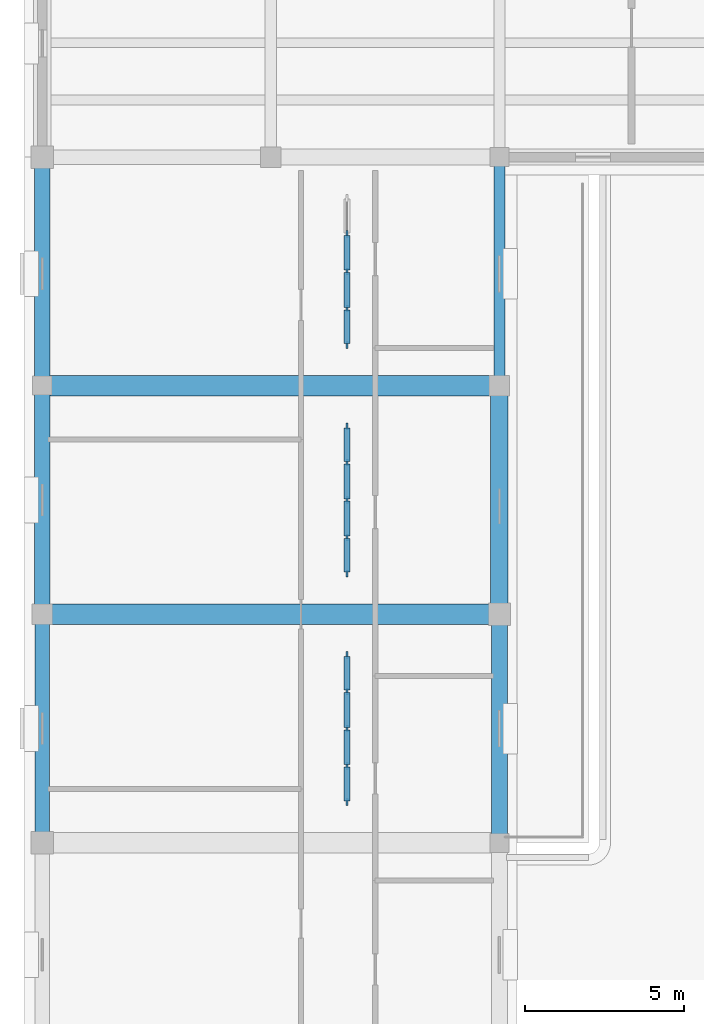
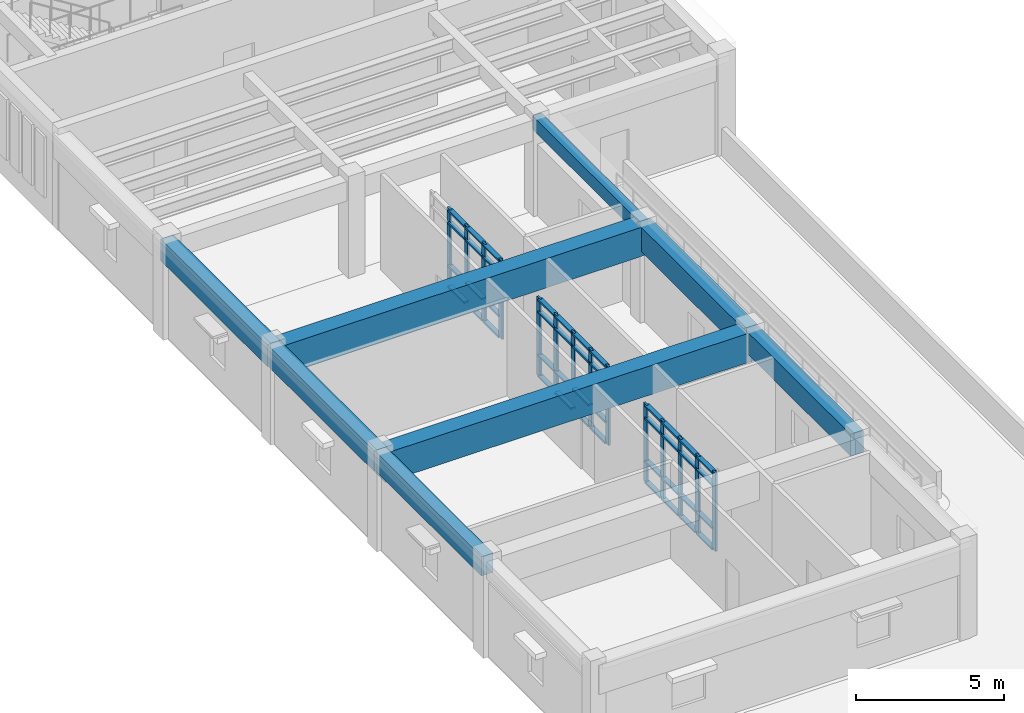
# One storey, part 2 of 40: 58 members, 8 beams, 3 elements without a shape of their own.
"""IFC4 building model written with IfcOpenShell, lengths in metres."""

from ifc_helpers import new_model, si_unit, direction, frame, origin, origin_2d, place, context, subcontext, project, spatial, rectangle, extrude, material, material_profile, profile_set, type_object, element, aggregate, save


model = new_model("IFC4")

# Units and contexts
model_context = context("Model", 3, precision=1e-05, world=origin(), true_north=direction((0.0, 1.0)))
body_context = subcontext(model_context, "Body", "Model", "MODEL_VIEW")
ifc_project = project(units=[si_unit("LENGTHUNIT", "METRE"), si_unit("AREAUNIT", "SQUARE_METRE"), si_unit("VOLUMEUNIT", "CUBIC_METRE"), si_unit("PLANEANGLEUNIT", "RADIAN"), si_unit("MASSUNIT", "GRAM", prefix="KILO")], contexts=[model_context])

# Site, building, storey
site_placement = place(None, origin())
site = spatial("IfcSite", under=ifc_project, at=site_placement, CompositionType="ELEMENT")
building_placement = place(site_placement, origin())
building = spatial("IfcBuilding", under=site, at=building_placement, Name="Mithqara Police Headquarters", CompositionType="ELEMENT")
storey_placement = place(building_placement, frame((0.0, 0.0, 13.800048828125)))
storey = spatial("IfcBuildingStorey", under=building, at=storey_placement, Name="L03", CompositionType="ELEMENT", Elevation=13.800048828125)

# Beams
ifc_material_1 = material(Name="Concrete C40/50", Category="concrete")
ifc_material_profile_1 = material_profile(ifc_material_1, rectangle(XDim=0.35009765625, YDim=0.550048828125, at=origin_2d()), Name="RC 350x550")
ifc_profile_set_1 = profile_set([ifc_material_profile_1], Name="Concrete C40/50")
beam_type_1 = type_object("IfcBeamType", Name="BEAM RC350X550", PredefinedType="BEAM", material=ifc_profile_set_1)
beam_1_placement = place(storey_placement, frame((22.199951171875, 49.800048828125, 3.6650390625), z_axis=(0.0, 1.0, 0.0), x_axis=(-1.0, 0.0, 0.0)))
element("IfcBeam", 1, at=beam_1_placement, inside=storey, type_object=beam_type_1, Name="L03 Girder 4/H-J", PredefinedType="BEAM", context=body_context, shape_type="SweptSolid", body=[
    extrude(rectangle(XDim=0.35009765625, YDim=0.550048828125, at=origin_2d()), origin(), (0.0, 0.0, 1.0), 7.199951171875),
])
ifc_material_profile_2 = material_profile(ifc_material_1, rectangle(XDim=0.449951171875, YDim=0.800048828125, at=origin_2d()), Name="RC 450x800")
ifc_profile_set_2 = profile_set([ifc_material_profile_2], Name="Concrete C40/50")
beam_type_2 = type_object("IfcBeamType", Name="BEAM RC450X800", PredefinedType="BEAM", material=ifc_profile_set_2)
beam_2_placement = place(storey_placement, frame((7.800048828125, 35.39990234375, 3.5400390625), z_axis=(0.0, 1.0, 0.0), x_axis=(-1.0, 0.0, 0.0)))
element("IfcBeam", 2, at=beam_2_placement, inside=storey, type_object=beam_type_2, Name="L03 Girder 2/F-G", PredefinedType="BEAM", context=body_context, shape_type="SweptSolid", body=[
    extrude(rectangle(XDim=0.449951171875, YDim=0.800048828125, at=origin_2d()), origin(), (0.0, 0.0, 1.0), 7.2001953125),
])
ifc_material_profile_3 = material_profile(ifc_material_1, rectangle(XDim=0.5, YDim=0.85009765625, at=origin_2d()), Name="RC 500x850")
ifc_profile_set_3 = profile_set([ifc_material_profile_3], Name="Concrete C40/50")
beam_type_3 = type_object("IfcBeamType", Name="BEAM RC500X850", PredefinedType="BEAM", material=ifc_profile_set_3)
beam_3_placement = place(storey_placement, frame((7.800048828125, 42.60009765625, 3.514892578125), z_axis=(0.0, 1.0, 0.0), x_axis=(-1.0, 0.0, 0.0)))
element("IfcBeam", 3, at=beam_3_placement, inside=storey, type_object=beam_type_3, Name="L03 Girder 2/G-H", PredefinedType="BEAM", context=body_context, shape_type="SweptSolid", body=[
    extrude(rectangle(XDim=0.5, YDim=0.85009765625, at=origin_2d()), origin(), (0.0, 0.0, 1.0), 7.199951171875),
])
ifc_material_2 = material(Name="Concrete C50/60", Category="concrete")
ifc_material_profile_4 = material_profile(ifc_material_2, rectangle(XDim=0.5, YDim=0.89990234375, at=origin_2d()), Name="RC 500x900")
ifc_profile_set_4 = profile_set([ifc_material_profile_4], Name="Concrete C50/60")
beam_type_4 = type_object("IfcBeamType", Name="BEAM RC500X900", PredefinedType="BEAM", material=ifc_profile_set_4)
beam_4_placement = place(storey_placement, frame((7.800048828125, 49.800048828125, 3.489990234375), z_axis=(0.0, 1.0, 0.0), x_axis=(-1.0, 0.0, 0.0)))
element("IfcBeam", 4, at=beam_4_placement, inside=storey, type_object=beam_type_4, Name="L03 Girder 2/H-J", PredefinedType="BEAM", context=body_context, shape_type="SweptSolid", body=[
    extrude(rectangle(XDim=0.5, YDim=0.89990234375, at=origin_2d()), origin(), (0.0, 0.0, 1.0), 7.199951171875),
])
beam_5_placement = place(storey_placement, frame((22.199951171875, 35.39990234375, 3.489990234375), z_axis=(0.0, 1.0, 0.0), x_axis=(-1.0, 0.0, 0.0)))
element("IfcBeam", 5, at=beam_5_placement, inside=storey, type_object=beam_type_4, Name="L03 Girder 4/F-G", PredefinedType="BEAM", context=body_context, shape_type="SweptSolid", body=[
    extrude(rectangle(XDim=0.5, YDim=0.89990234375, at=origin_2d()), origin(), (0.0, 0.0, 1.0), 7.2001953125),
])
ifc_material_profile_5 = material_profile(ifc_material_2, rectangle(XDim=0.550048828125, YDim=1.0, at=origin_2d()), Name="RC 550x1000")
ifc_profile_set_5 = profile_set([ifc_material_profile_5], Name="Concrete C50/60")
beam_type_5 = type_object("IfcBeamType", Name="BEAM RC550X1000", PredefinedType="BEAM", material=ifc_profile_set_5)
beam_6_placement = place(storey_placement, frame((22.199951171875, 42.60009765625, 3.43994140625), z_axis=(0.0, 1.0, 0.0), x_axis=(-1.0, 0.0, 0.0)))
element("IfcBeam", 6, at=beam_6_placement, inside=storey, type_object=beam_type_5, Name="L03 Girder 4/G-H", PredefinedType="BEAM", context=body_context, shape_type="SweptSolid", body=[
    extrude(rectangle(XDim=0.550048828125, YDim=1.0, at=origin_2d()), origin(), (0.0, 0.0, 1.0), 7.199951171875),
])

# Curtain wall, members
ifc_material_3 = material(Name="Bronze anodised aluminium 6063-T6", Category="aluminium")
curtain_wall_type = type_object("IfcCurtainWallType", Name="CURTAIN WALL 4700X3220", PredefinedType="USERDEFINED", material=ifc_material_3)
curtain_wall_1_placement = place(storey_placement, origin())
curtain_wall_1 = element("IfcCurtainWall", 7, at=curtain_wall_1_placement, inside=storey, type_object=curtain_wall_type, Name="L03 Unitised Glazing CW-16 (CW-INT-L03-X02-Y05-0)", ObjectType="UNITISED GLAZING", PredefinedType="USERDEFINED")
ifc_material_profile_6 = material_profile(ifc_material_3, rectangle(XDim=0.074951171875, YDim=0.219970703125, at=origin_2d()), Name="CWM 75x220")
ifc_profile_set_6 = profile_set([ifc_material_profile_6], Name="Bronze anodised aluminium 6063-T6")
member_type_1 = type_object("IfcMemberType", Name="CWMULLION 75X220", PredefinedType="MULLION", material=ifc_profile_set_6)
member_1_placement = place(storey_placement, frame((17.39990234375, 36.6875, 0.0), z_axis=(0.0, 0.0, 1.0), x_axis=(-1.0, 0.0, 0.0)))
member_1 = element("IfcMember", 8, at=member_1_placement, type_object=member_type_1, Name="CW-16 mullion 1", PredefinedType="MULLION", context=body_context, shape_type="SweptSolid", body=[
    extrude(rectangle(XDim=0.074951171875, YDim=0.219970703125, at=origin_2d()), origin(), (0.0, 0.0, 1.0), 3.219970703125),
])
member_2_placement = place(storey_placement, frame((17.39990234375, 37.824951171875, 0.0), z_axis=(0.0, 0.0, 1.0), x_axis=(-1.0, 0.0, 0.0)))
member_2 = element("IfcMember", 9, at=member_2_placement, type_object=member_type_1, Name="CW-16 mullion 2", PredefinedType="MULLION", context=body_context, shape_type="SweptSolid", body=[
    extrude(rectangle(XDim=0.074951171875, YDim=0.219970703125, at=origin_2d()), origin(), (0.0, 0.0, 1.0), 3.219970703125),
])
member_3_placement = place(storey_placement, frame((17.39990234375, 39.0, 0.0), z_axis=(0.0, 0.0, 1.0), x_axis=(-1.0, 0.0, 0.0)))
member_3 = element("IfcMember", 10, at=member_3_placement, type_object=member_type_1, Name="CW-16 mullion 3", PredefinedType="MULLION", context=body_context, shape_type="SweptSolid", body=[
    extrude(rectangle(XDim=0.074951171875, YDim=0.219970703125, at=origin_2d()), origin(), (0.0, 0.0, 1.0), 3.219970703125),
])
member_4_placement = place(storey_placement, frame((17.39990234375, 40.175048828125, 0.0), z_axis=(0.0, 0.0, 1.0), x_axis=(-1.0, 0.0, 0.0)))
member_4 = element("IfcMember", 11, at=member_4_placement, type_object=member_type_1, Name="CW-16 mullion 4", PredefinedType="MULLION", context=body_context, shape_type="SweptSolid", body=[
    extrude(rectangle(XDim=0.074951171875, YDim=0.219970703125, at=origin_2d()), origin(), (0.0, 0.0, 1.0), 3.219970703125),
])
member_5_placement = place(storey_placement, frame((17.39990234375, 41.3125, 0.0), z_axis=(0.0, 0.0, 1.0), x_axis=(-1.0, 0.0, 0.0)))
member_5 = element("IfcMember", 12, at=member_5_placement, type_object=member_type_1, Name="CW-16 mullion 5", PredefinedType="MULLION", context=body_context, shape_type="SweptSolid", body=[
    extrude(rectangle(XDim=0.074951171875, YDim=0.219970703125, at=origin_2d()), origin(), (0.0, 0.0, 1.0), 3.219970703125),
])

curtain_wall_2_placement = place(storey_placement, origin())
curtain_wall_2 = element("IfcCurtainWall", 13, at=curtain_wall_2_placement, inside=storey, type_object=curtain_wall_type, Name="L03 Unitised Glazing CW-16 (CW-INT-L03-X02-Y06-0)", ObjectType="UNITISED GLAZING", PredefinedType="USERDEFINED")
member_6_placement = place(storey_placement, frame((17.39990234375, 43.887451171875, 0.0), z_axis=(0.0, 0.0, 1.0), x_axis=(-1.0, 0.0, 0.0)))
member_6 = element("IfcMember", 14, at=member_6_placement, type_object=member_type_1, Name="CW-16 mullion 1", PredefinedType="MULLION", context=body_context, shape_type="SweptSolid", body=[
    extrude(rectangle(XDim=0.074951171875, YDim=0.219970703125, at=origin_2d()), origin(), (0.0, 0.0, 1.0), 3.219970703125),
])
member_7_placement = place(storey_placement, frame((17.39990234375, 45.02490234375, 0.0), z_axis=(0.0, 0.0, 1.0), x_axis=(-1.0, 0.0, 0.0)))
member_7 = element("IfcMember", 15, at=member_7_placement, type_object=member_type_1, Name="CW-16 mullion 2", PredefinedType="MULLION", context=body_context, shape_type="SweptSolid", body=[
    extrude(rectangle(XDim=0.074951171875, YDim=0.219970703125, at=origin_2d()), origin(), (0.0, 0.0, 1.0), 3.219970703125),
])
member_8_placement = place(storey_placement, frame((17.39990234375, 46.199951171875, 0.0), z_axis=(0.0, 0.0, 1.0), x_axis=(-1.0, 0.0, 0.0)))
member_8 = element("IfcMember", 16, at=member_8_placement, type_object=member_type_1, Name="CW-16 mullion 3", PredefinedType="MULLION", context=body_context, shape_type="SweptSolid", body=[
    extrude(rectangle(XDim=0.074951171875, YDim=0.219970703125, at=origin_2d()), origin(), (0.0, 0.0, 1.0), 3.219970703125),
])
member_9_placement = place(storey_placement, frame((17.39990234375, 47.375, 0.0), z_axis=(0.0, 0.0, 1.0), x_axis=(-1.0, 0.0, 0.0)))
member_9 = element("IfcMember", 17, at=member_9_placement, type_object=member_type_1, Name="CW-16 mullion 4", PredefinedType="MULLION", context=body_context, shape_type="SweptSolid", body=[
    extrude(rectangle(XDim=0.074951171875, YDim=0.219970703125, at=origin_2d()), origin(), (0.0, 0.0, 1.0), 3.219970703125),
])
member_10_placement = place(storey_placement, frame((17.39990234375, 48.512451171875, 0.0), z_axis=(0.0, 0.0, 1.0), x_axis=(-1.0, 0.0, 0.0)))
member_10 = element("IfcMember", 18, at=member_10_placement, type_object=member_type_1, Name="CW-16 mullion 5", PredefinedType="MULLION", context=body_context, shape_type="SweptSolid", body=[
    extrude(rectangle(XDim=0.074951171875, YDim=0.219970703125, at=origin_2d()), origin(), (0.0, 0.0, 1.0), 3.219970703125),
])

curtain_wall_3_placement = place(storey_placement, origin())
curtain_wall_3 = element("IfcCurtainWall", 19, at=curtain_wall_3_placement, inside=storey, type_object=curtain_wall_type, Name="L03 Unitised Glazing CW-16 (CW-INT-L03-X02-Y07-0)", ObjectType="UNITISED GLAZING", PredefinedType="USERDEFINED")
member_11_placement = place(storey_placement, frame((17.39990234375, 51.08740234375, 0.0), z_axis=(0.0, 0.0, 1.0), x_axis=(-1.0, 0.0, 0.0)))
member_11 = element("IfcMember", 20, at=member_11_placement, type_object=member_type_1, Name="CW-16 mullion 1", PredefinedType="MULLION", context=body_context, shape_type="SweptSolid", body=[
    extrude(rectangle(XDim=0.074951171875, YDim=0.219970703125, at=origin_2d()), origin(), (0.0, 0.0, 1.0), 3.219970703125),
])
member_12_placement = place(storey_placement, frame((17.39990234375, 52.22509765625, 0.0), z_axis=(0.0, 0.0, 1.0), x_axis=(-1.0, 0.0, 0.0)))
member_12 = element("IfcMember", 21, at=member_12_placement, type_object=member_type_1, Name="CW-16 mullion 2", PredefinedType="MULLION", context=body_context, shape_type="SweptSolid", body=[
    extrude(rectangle(XDim=0.074951171875, YDim=0.219970703125, at=origin_2d()), origin(), (0.0, 0.0, 1.0), 3.219970703125),
])
member_13_placement = place(storey_placement, frame((17.39990234375, 53.39990234375, 0.0), z_axis=(0.0, 0.0, 1.0), x_axis=(-1.0, 0.0, 0.0)))
member_13 = element("IfcMember", 22, at=member_13_placement, type_object=member_type_1, Name="CW-16 mullion 3", PredefinedType="MULLION", context=body_context, shape_type="SweptSolid", body=[
    extrude(rectangle(XDim=0.074951171875, YDim=0.219970703125, at=origin_2d()), origin(), (0.0, 0.0, 1.0), 3.219970703125),
])
member_14_placement = place(storey_placement, frame((17.39990234375, 54.574951171875, 0.0), z_axis=(0.0, 0.0, 1.0), x_axis=(-1.0, 0.0, 0.0)))
member_14 = element("IfcMember", 23, at=member_14_placement, type_object=member_type_1, Name="CW-16 mullion 4", PredefinedType="MULLION", context=body_context, shape_type="SweptSolid", body=[
    extrude(rectangle(XDim=0.074951171875, YDim=0.219970703125, at=origin_2d()), origin(), (0.0, 0.0, 1.0), 3.219970703125),
])

# Member
ifc_material_profile_7 = material_profile(ifc_material_3, rectangle(XDim=0.179931640625, YDim=0.074951171875, at=origin_2d()), Name="CWT 180x75")
ifc_profile_set_7 = profile_set([ifc_material_profile_7], Name="Bronze anodised aluminium 6063-T6")
member_type_2 = type_object("IfcMemberType", Name="CWTRANSOM 180X75", PredefinedType="USERDEFINED", material=ifc_profile_set_7)
member_15_placement = place(storey_placement, frame((17.39990234375, 36.72509765625, 0.037353515625), z_axis=(0.0, 1.0, 0.0), x_axis=(-1.0, 0.0, 0.0)))
member_15 = element("IfcMember", 24, at=member_15_placement, type_object=member_type_2, Name="CW-16 transom 1.1", ObjectType="TRANSOM", PredefinedType="USERDEFINED", context=body_context, shape_type="SweptSolid", body=[
    extrude(rectangle(XDim=0.179931640625, YDim=0.074951171875, at=origin_2d()), origin(), (0.0, 0.0, 1.0), 1.0625),
])

member_16_placement = place(storey_placement, frame((17.39990234375, 36.72509765625, 0.89990234375), z_axis=(0.0, 1.0, 0.0), x_axis=(-1.0, 0.0, 0.0)))
member_16 = element("IfcMember", 25, at=member_16_placement, type_object=member_type_2, Name="CW-16 transom 1.2", ObjectType="TRANSOM", PredefinedType="USERDEFINED", context=body_context, shape_type="SweptSolid", body=[
    extrude(rectangle(XDim=0.179931640625, YDim=0.074951171875, at=origin_2d()), origin(), (0.0, 0.0, 1.0), 1.0625),
])

member_17_placement = place(storey_placement, frame((17.39990234375, 36.72509765625, 2.669921875), z_axis=(0.0, 1.0, 0.0), x_axis=(-1.0, 0.0, 0.0)))
member_17 = element("IfcMember", 26, at=member_17_placement, type_object=member_type_2, Name="CW-16 transom 1.3", ObjectType="TRANSOM", PredefinedType="USERDEFINED", context=body_context, shape_type="SweptSolid", body=[
    extrude(rectangle(XDim=0.179931640625, YDim=0.074951171875, at=origin_2d()), origin(), (0.0, 0.0, 1.0), 1.0625),
])

member_18_placement = place(storey_placement, frame((17.39990234375, 36.72509765625, 3.182373046875), z_axis=(0.0, 1.0, 0.0), x_axis=(-1.0, 0.0, 0.0)))
member_18 = element("IfcMember", 27, at=member_18_placement, type_object=member_type_2, Name="CW-16 transom 1.4", ObjectType="TRANSOM", PredefinedType="USERDEFINED", context=body_context, shape_type="SweptSolid", body=[
    extrude(rectangle(XDim=0.179931640625, YDim=0.074951171875, at=origin_2d()), origin(), (0.0, 0.0, 1.0), 1.0625),
])

member_19_placement = place(storey_placement, frame((17.39990234375, 37.862548828125, 0.037353515625), z_axis=(0.0, 1.0, 0.0), x_axis=(-1.0, 0.0, 0.0)))
member_19 = element("IfcMember", 28, at=member_19_placement, type_object=member_type_2, Name="CW-16 transom 2.1", ObjectType="TRANSOM", PredefinedType="USERDEFINED", context=body_context, shape_type="SweptSolid", body=[
    extrude(rectangle(XDim=0.179931640625, YDim=0.074951171875, at=origin_2d()), origin(), (0.0, 0.0, 1.0), 1.099853515625),
])

member_20_placement = place(storey_placement, frame((17.39990234375, 37.862548828125, 0.89990234375), z_axis=(0.0, 1.0, 0.0), x_axis=(-1.0, 0.0, 0.0)))
member_20 = element("IfcMember", 29, at=member_20_placement, type_object=member_type_2, Name="CW-16 transom 2.2", ObjectType="TRANSOM", PredefinedType="USERDEFINED", context=body_context, shape_type="SweptSolid", body=[
    extrude(rectangle(XDim=0.179931640625, YDim=0.074951171875, at=origin_2d()), origin(), (0.0, 0.0, 1.0), 1.099853515625),
])

member_21_placement = place(storey_placement, frame((17.39990234375, 37.862548828125, 2.669921875), z_axis=(0.0, 1.0, 0.0), x_axis=(-1.0, 0.0, 0.0)))
member_21 = element("IfcMember", 30, at=member_21_placement, type_object=member_type_2, Name="CW-16 transom 2.3", ObjectType="TRANSOM", PredefinedType="USERDEFINED", context=body_context, shape_type="SweptSolid", body=[
    extrude(rectangle(XDim=0.179931640625, YDim=0.074951171875, at=origin_2d()), origin(), (0.0, 0.0, 1.0), 1.099853515625),
])

member_22_placement = place(storey_placement, frame((17.39990234375, 37.862548828125, 3.182373046875), z_axis=(0.0, 1.0, 0.0), x_axis=(-1.0, 0.0, 0.0)))
member_22 = element("IfcMember", 31, at=member_22_placement, type_object=member_type_2, Name="CW-16 transom 2.4", ObjectType="TRANSOM", PredefinedType="USERDEFINED", context=body_context, shape_type="SweptSolid", body=[
    extrude(rectangle(XDim=0.179931640625, YDim=0.074951171875, at=origin_2d()), origin(), (0.0, 0.0, 1.0), 1.099853515625),
])

member_23_placement = place(storey_placement, frame((17.39990234375, 39.03759765625, 0.037353515625), z_axis=(0.0, 1.0, 0.0), x_axis=(-1.0, 0.0, 0.0)))
member_23 = element("IfcMember", 32, at=member_23_placement, type_object=member_type_2, Name="CW-16 transom 3.1", ObjectType="TRANSOM", PredefinedType="USERDEFINED", context=body_context, shape_type="SweptSolid", body=[
    extrude(rectangle(XDim=0.179931640625, YDim=0.074951171875, at=origin_2d()), origin(), (0.0, 0.0, 1.0), 1.099853515625),
])

member_24_placement = place(storey_placement, frame((17.39990234375, 39.03759765625, 0.89990234375), z_axis=(0.0, 1.0, 0.0), x_axis=(-1.0, 0.0, 0.0)))
member_24 = element("IfcMember", 33, at=member_24_placement, type_object=member_type_2, Name="CW-16 transom 3.2", ObjectType="TRANSOM", PredefinedType="USERDEFINED", context=body_context, shape_type="SweptSolid", body=[
    extrude(rectangle(XDim=0.179931640625, YDim=0.074951171875, at=origin_2d()), origin(), (0.0, 0.0, 1.0), 1.099853515625),
])

member_25_placement = place(storey_placement, frame((17.39990234375, 39.03759765625, 2.669921875), z_axis=(0.0, 1.0, 0.0), x_axis=(-1.0, 0.0, 0.0)))
member_25 = element("IfcMember", 34, at=member_25_placement, type_object=member_type_2, Name="CW-16 transom 3.3", ObjectType="TRANSOM", PredefinedType="USERDEFINED", context=body_context, shape_type="SweptSolid", body=[
    extrude(rectangle(XDim=0.179931640625, YDim=0.074951171875, at=origin_2d()), origin(), (0.0, 0.0, 1.0), 1.099853515625),
])

member_26_placement = place(storey_placement, frame((17.39990234375, 39.03759765625, 3.182373046875), z_axis=(0.0, 1.0, 0.0), x_axis=(-1.0, 0.0, 0.0)))
member_26 = element("IfcMember", 35, at=member_26_placement, type_object=member_type_2, Name="CW-16 transom 3.4", ObjectType="TRANSOM", PredefinedType="USERDEFINED", context=body_context, shape_type="SweptSolid", body=[
    extrude(rectangle(XDim=0.179931640625, YDim=0.074951171875, at=origin_2d()), origin(), (0.0, 0.0, 1.0), 1.099853515625),
])

member_27_placement = place(storey_placement, frame((17.39990234375, 40.21240234375, 0.037353515625), z_axis=(0.0, 1.0, 0.0), x_axis=(-1.0, 0.0, 0.0)))
member_27 = element("IfcMember", 36, at=member_27_placement, type_object=member_type_2, Name="CW-16 transom 4.1", ObjectType="TRANSOM", PredefinedType="USERDEFINED", context=body_context, shape_type="SweptSolid", body=[
    extrude(rectangle(XDim=0.179931640625, YDim=0.074951171875, at=origin_2d()), origin(), (0.0, 0.0, 1.0), 1.0625),
])

member_28_placement = place(storey_placement, frame((17.39990234375, 40.21240234375, 0.89990234375), z_axis=(0.0, 1.0, 0.0), x_axis=(-1.0, 0.0, 0.0)))
member_28 = element("IfcMember", 37, at=member_28_placement, type_object=member_type_2, Name="CW-16 transom 4.2", ObjectType="TRANSOM", PredefinedType="USERDEFINED", context=body_context, shape_type="SweptSolid", body=[
    extrude(rectangle(XDim=0.179931640625, YDim=0.074951171875, at=origin_2d()), origin(), (0.0, 0.0, 1.0), 1.0625),
])

member_29_placement = place(storey_placement, frame((17.39990234375, 40.21240234375, 2.669921875), z_axis=(0.0, 1.0, 0.0), x_axis=(-1.0, 0.0, 0.0)))
member_29 = element("IfcMember", 38, at=member_29_placement, type_object=member_type_2, Name="CW-16 transom 4.3", ObjectType="TRANSOM", PredefinedType="USERDEFINED", context=body_context, shape_type="SweptSolid", body=[
    extrude(rectangle(XDim=0.179931640625, YDim=0.074951171875, at=origin_2d()), origin(), (0.0, 0.0, 1.0), 1.0625),
])

member_30_placement = place(storey_placement, frame((17.39990234375, 40.21240234375, 3.182373046875), z_axis=(0.0, 1.0, 0.0), x_axis=(-1.0, 0.0, 0.0)))
member_30 = element("IfcMember", 39, at=member_30_placement, type_object=member_type_2, Name="CW-16 transom 4.4", ObjectType="TRANSOM", PredefinedType="USERDEFINED", context=body_context, shape_type="SweptSolid", body=[
    extrude(rectangle(XDim=0.179931640625, YDim=0.074951171875, at=origin_2d()), origin(), (0.0, 0.0, 1.0), 1.0625),
])

aggregate(curtain_wall_1, [member_1, member_2, member_3, member_4, member_5, member_15, member_16, member_17, member_18, member_19, member_20, member_21, member_22, member_23, member_24, member_25, member_26, member_27, member_28, member_29, member_30])

member_31_placement = place(storey_placement, frame((17.39990234375, 43.925048828125, 0.037353515625), z_axis=(0.0, 1.0, 0.0), x_axis=(-1.0, 0.0, 0.0)))
member_31 = element("IfcMember", 40, at=member_31_placement, type_object=member_type_2, Name="CW-16 transom 1.1", ObjectType="TRANSOM", PredefinedType="USERDEFINED", context=body_context, shape_type="SweptSolid", body=[
    extrude(rectangle(XDim=0.179931640625, YDim=0.074951171875, at=origin_2d()), origin(), (0.0, 0.0, 1.0), 1.0625),
])

member_32_placement = place(storey_placement, frame((17.39990234375, 43.925048828125, 0.89990234375), z_axis=(0.0, 1.0, 0.0), x_axis=(-1.0, 0.0, 0.0)))
member_32 = element("IfcMember", 41, at=member_32_placement, type_object=member_type_2, Name="CW-16 transom 1.2", ObjectType="TRANSOM", PredefinedType="USERDEFINED", context=body_context, shape_type="SweptSolid", body=[
    extrude(rectangle(XDim=0.179931640625, YDim=0.074951171875, at=origin_2d()), origin(), (0.0, 0.0, 1.0), 1.0625),
])

member_33_placement = place(storey_placement, frame((17.39990234375, 43.925048828125, 2.669921875), z_axis=(0.0, 1.0, 0.0), x_axis=(-1.0, 0.0, 0.0)))
member_33 = element("IfcMember", 42, at=member_33_placement, type_object=member_type_2, Name="CW-16 transom 1.3", ObjectType="TRANSOM", PredefinedType="USERDEFINED", context=body_context, shape_type="SweptSolid", body=[
    extrude(rectangle(XDim=0.179931640625, YDim=0.074951171875, at=origin_2d()), origin(), (0.0, 0.0, 1.0), 1.0625),
])

member_34_placement = place(storey_placement, frame((17.39990234375, 43.925048828125, 3.182373046875), z_axis=(0.0, 1.0, 0.0), x_axis=(-1.0, 0.0, 0.0)))
member_34 = element("IfcMember", 43, at=member_34_placement, type_object=member_type_2, Name="CW-16 transom 1.4", ObjectType="TRANSOM", PredefinedType="USERDEFINED", context=body_context, shape_type="SweptSolid", body=[
    extrude(rectangle(XDim=0.179931640625, YDim=0.074951171875, at=origin_2d()), origin(), (0.0, 0.0, 1.0), 1.0625),
])

member_35_placement = place(storey_placement, frame((17.39990234375, 45.0625, 0.037353515625), z_axis=(0.0, 1.0, 0.0), x_axis=(-1.0, 0.0, 0.0)))
member_35 = element("IfcMember", 44, at=member_35_placement, type_object=member_type_2, Name="CW-16 transom 2.1", ObjectType="TRANSOM", PredefinedType="USERDEFINED", context=body_context, shape_type="SweptSolid", body=[
    extrude(rectangle(XDim=0.179931640625, YDim=0.074951171875, at=origin_2d()), origin(), (0.0, 0.0, 1.0), 1.10009765625),
])

member_36_placement = place(storey_placement, frame((17.39990234375, 45.0625, 0.89990234375), z_axis=(0.0, 1.0, 0.0), x_axis=(-1.0, 0.0, 0.0)))
member_36 = element("IfcMember", 45, at=member_36_placement, type_object=member_type_2, Name="CW-16 transom 2.2", ObjectType="TRANSOM", PredefinedType="USERDEFINED", context=body_context, shape_type="SweptSolid", body=[
    extrude(rectangle(XDim=0.179931640625, YDim=0.074951171875, at=origin_2d()), origin(), (0.0, 0.0, 1.0), 1.10009765625),
])

member_37_placement = place(storey_placement, frame((17.39990234375, 45.0625, 2.669921875), z_axis=(0.0, 1.0, 0.0), x_axis=(-1.0, 0.0, 0.0)))
member_37 = element("IfcMember", 46, at=member_37_placement, type_object=member_type_2, Name="CW-16 transom 2.3", ObjectType="TRANSOM", PredefinedType="USERDEFINED", context=body_context, shape_type="SweptSolid", body=[
    extrude(rectangle(XDim=0.179931640625, YDim=0.074951171875, at=origin_2d()), origin(), (0.0, 0.0, 1.0), 1.10009765625),
])

member_38_placement = place(storey_placement, frame((17.39990234375, 45.0625, 3.182373046875), z_axis=(0.0, 1.0, 0.0), x_axis=(-1.0, 0.0, 0.0)))
member_38 = element("IfcMember", 47, at=member_38_placement, type_object=member_type_2, Name="CW-16 transom 2.4", ObjectType="TRANSOM", PredefinedType="USERDEFINED", context=body_context, shape_type="SweptSolid", body=[
    extrude(rectangle(XDim=0.179931640625, YDim=0.074951171875, at=origin_2d()), origin(), (0.0, 0.0, 1.0), 1.10009765625),
])

member_39_placement = place(storey_placement, frame((17.39990234375, 46.237548828125, 0.037353515625), z_axis=(0.0, 1.0, 0.0), x_axis=(-1.0, 0.0, 0.0)))
member_39 = element("IfcMember", 48, at=member_39_placement, type_object=member_type_2, Name="CW-16 transom 3.1", ObjectType="TRANSOM", PredefinedType="USERDEFINED", context=body_context, shape_type="SweptSolid", body=[
    extrude(rectangle(XDim=0.179931640625, YDim=0.074951171875, at=origin_2d()), origin(), (0.0, 0.0, 1.0), 1.099853515625),
])

member_40_placement = place(storey_placement, frame((17.39990234375, 46.237548828125, 0.89990234375), z_axis=(0.0, 1.0, 0.0), x_axis=(-1.0, 0.0, 0.0)))
member_40 = element("IfcMember", 49, at=member_40_placement, type_object=member_type_2, Name="CW-16 transom 3.2", ObjectType="TRANSOM", PredefinedType="USERDEFINED", context=body_context, shape_type="SweptSolid", body=[
    extrude(rectangle(XDim=0.179931640625, YDim=0.074951171875, at=origin_2d()), origin(), (0.0, 0.0, 1.0), 1.099853515625),
])

member_41_placement = place(storey_placement, frame((17.39990234375, 46.237548828125, 2.669921875), z_axis=(0.0, 1.0, 0.0), x_axis=(-1.0, 0.0, 0.0)))
member_41 = element("IfcMember", 50, at=member_41_placement, type_object=member_type_2, Name="CW-16 transom 3.3", ObjectType="TRANSOM", PredefinedType="USERDEFINED", context=body_context, shape_type="SweptSolid", body=[
    extrude(rectangle(XDim=0.179931640625, YDim=0.074951171875, at=origin_2d()), origin(), (0.0, 0.0, 1.0), 1.099853515625),
])

member_42_placement = place(storey_placement, frame((17.39990234375, 46.237548828125, 3.182373046875), z_axis=(0.0, 1.0, 0.0), x_axis=(-1.0, 0.0, 0.0)))
member_42 = element("IfcMember", 51, at=member_42_placement, type_object=member_type_2, Name="CW-16 transom 3.4", ObjectType="TRANSOM", PredefinedType="USERDEFINED", context=body_context, shape_type="SweptSolid", body=[
    extrude(rectangle(XDim=0.179931640625, YDim=0.074951171875, at=origin_2d()), origin(), (0.0, 0.0, 1.0), 1.099853515625),
])

member_43_placement = place(storey_placement, frame((17.39990234375, 47.41259765625, 0.037353515625), z_axis=(0.0, 1.0, 0.0), x_axis=(-1.0, 0.0, 0.0)))
member_43 = element("IfcMember", 52, at=member_43_placement, type_object=member_type_2, Name="CW-16 transom 4.1", ObjectType="TRANSOM", PredefinedType="USERDEFINED", context=body_context, shape_type="SweptSolid", body=[
    extrude(rectangle(XDim=0.179931640625, YDim=0.074951171875, at=origin_2d()), origin(), (0.0, 0.0, 1.0), 1.0625),
])

member_44_placement = place(storey_placement, frame((17.39990234375, 47.41259765625, 0.89990234375), z_axis=(0.0, 1.0, 0.0), x_axis=(-1.0, 0.0, 0.0)))
member_44 = element("IfcMember", 53, at=member_44_placement, type_object=member_type_2, Name="CW-16 transom 4.2", ObjectType="TRANSOM", PredefinedType="USERDEFINED", context=body_context, shape_type="SweptSolid", body=[
    extrude(rectangle(XDim=0.179931640625, YDim=0.074951171875, at=origin_2d()), origin(), (0.0, 0.0, 1.0), 1.0625),
])

member_45_placement = place(storey_placement, frame((17.39990234375, 47.41259765625, 2.669921875), z_axis=(0.0, 1.0, 0.0), x_axis=(-1.0, 0.0, 0.0)))
member_45 = element("IfcMember", 54, at=member_45_placement, type_object=member_type_2, Name="CW-16 transom 4.3", ObjectType="TRANSOM", PredefinedType="USERDEFINED", context=body_context, shape_type="SweptSolid", body=[
    extrude(rectangle(XDim=0.179931640625, YDim=0.074951171875, at=origin_2d()), origin(), (0.0, 0.0, 1.0), 1.0625),
])

member_46_placement = place(storey_placement, frame((17.39990234375, 47.41259765625, 3.182373046875), z_axis=(0.0, 1.0, 0.0), x_axis=(-1.0, 0.0, 0.0)))
member_46 = element("IfcMember", 55, at=member_46_placement, type_object=member_type_2, Name="CW-16 transom 4.4", ObjectType="TRANSOM", PredefinedType="USERDEFINED", context=body_context, shape_type="SweptSolid", body=[
    extrude(rectangle(XDim=0.179931640625, YDim=0.074951171875, at=origin_2d()), origin(), (0.0, 0.0, 1.0), 1.0625),
])

aggregate(curtain_wall_2, [member_6, member_7, member_8, member_9, member_10, member_31, member_32, member_33, member_34, member_35, member_36, member_37, member_38, member_39, member_40, member_41, member_42, member_43, member_44, member_45, member_46])

member_47_placement = place(storey_placement, frame((17.39990234375, 51.125, 0.037353515625), z_axis=(0.0, 1.0, 0.0), x_axis=(-1.0, 0.0, 0.0)))
member_47 = element("IfcMember", 56, at=member_47_placement, type_object=member_type_2, Name="CW-16 transom 1.1", ObjectType="TRANSOM", PredefinedType="USERDEFINED", context=body_context, shape_type="SweptSolid", body=[
    extrude(rectangle(XDim=0.179931640625, YDim=0.074951171875, at=origin_2d()), origin(), (0.0, 0.0, 1.0), 1.0625),
])

member_48_placement = place(storey_placement, frame((17.39990234375, 51.125, 0.89990234375), z_axis=(0.0, 1.0, 0.0), x_axis=(-1.0, 0.0, 0.0)))
member_48 = element("IfcMember", 57, at=member_48_placement, type_object=member_type_2, Name="CW-16 transom 1.2", ObjectType="TRANSOM", PredefinedType="USERDEFINED", context=body_context, shape_type="SweptSolid", body=[
    extrude(rectangle(XDim=0.179931640625, YDim=0.074951171875, at=origin_2d()), origin(), (0.0, 0.0, 1.0), 1.0625),
])

member_49_placement = place(storey_placement, frame((17.39990234375, 51.125, 2.669921875), z_axis=(0.0, 1.0, 0.0), x_axis=(-1.0, 0.0, 0.0)))
member_49 = element("IfcMember", 58, at=member_49_placement, type_object=member_type_2, Name="CW-16 transom 1.3", ObjectType="TRANSOM", PredefinedType="USERDEFINED", context=body_context, shape_type="SweptSolid", body=[
    extrude(rectangle(XDim=0.179931640625, YDim=0.074951171875, at=origin_2d()), origin(), (0.0, 0.0, 1.0), 1.0625),
])

member_50_placement = place(storey_placement, frame((17.39990234375, 51.125, 3.182373046875), z_axis=(0.0, 1.0, 0.0), x_axis=(-1.0, 0.0, 0.0)))
member_50 = element("IfcMember", 59, at=member_50_placement, type_object=member_type_2, Name="CW-16 transom 1.4", ObjectType="TRANSOM", PredefinedType="USERDEFINED", context=body_context, shape_type="SweptSolid", body=[
    extrude(rectangle(XDim=0.179931640625, YDim=0.074951171875, at=origin_2d()), origin(), (0.0, 0.0, 1.0), 1.0625),
])

member_51_placement = place(storey_placement, frame((17.39990234375, 52.262451171875, 0.037353515625), z_axis=(0.0, 1.0, 0.0), x_axis=(-1.0, 0.0, 0.0)))
member_51 = element("IfcMember", 60, at=member_51_placement, type_object=member_type_2, Name="CW-16 transom 2.1", ObjectType="TRANSOM", PredefinedType="USERDEFINED", context=body_context, shape_type="SweptSolid", body=[
    extrude(rectangle(XDim=0.179931640625, YDim=0.074951171875, at=origin_2d()), origin(), (0.0, 0.0, 1.0), 1.10009765625),
])

member_52_placement = place(storey_placement, frame((17.39990234375, 52.262451171875, 0.89990234375), z_axis=(0.0, 1.0, 0.0), x_axis=(-1.0, 0.0, 0.0)))
member_52 = element("IfcMember", 61, at=member_52_placement, type_object=member_type_2, Name="CW-16 transom 2.2", ObjectType="TRANSOM", PredefinedType="USERDEFINED", context=body_context, shape_type="SweptSolid", body=[
    extrude(rectangle(XDim=0.179931640625, YDim=0.074951171875, at=origin_2d()), origin(), (0.0, 0.0, 1.0), 1.10009765625),
])

member_53_placement = place(storey_placement, frame((17.39990234375, 52.262451171875, 2.669921875), z_axis=(0.0, 1.0, 0.0), x_axis=(-1.0, 0.0, 0.0)))
member_53 = element("IfcMember", 62, at=member_53_placement, type_object=member_type_2, Name="CW-16 transom 2.3", ObjectType="TRANSOM", PredefinedType="USERDEFINED", context=body_context, shape_type="SweptSolid", body=[
    extrude(rectangle(XDim=0.179931640625, YDim=0.074951171875, at=origin_2d()), origin(), (0.0, 0.0, 1.0), 1.10009765625),
])

member_54_placement = place(storey_placement, frame((17.39990234375, 52.262451171875, 3.182373046875), z_axis=(0.0, 1.0, 0.0), x_axis=(-1.0, 0.0, 0.0)))
member_54 = element("IfcMember", 63, at=member_54_placement, type_object=member_type_2, Name="CW-16 transom 2.4", ObjectType="TRANSOM", PredefinedType="USERDEFINED", context=body_context, shape_type="SweptSolid", body=[
    extrude(rectangle(XDim=0.179931640625, YDim=0.074951171875, at=origin_2d()), origin(), (0.0, 0.0, 1.0), 1.10009765625),
])

member_55_placement = place(storey_placement, frame((17.39990234375, 53.4375, 0.037353515625), z_axis=(0.0, 1.0, 0.0), x_axis=(-1.0, 0.0, 0.0)))
member_55 = element("IfcMember", 64, at=member_55_placement, type_object=member_type_2, Name="CW-16 transom 3.1", ObjectType="TRANSOM", PredefinedType="USERDEFINED", context=body_context, shape_type="SweptSolid", body=[
    extrude(rectangle(XDim=0.179931640625, YDim=0.074951171875, at=origin_2d()), origin(), (0.0, 0.0, 1.0), 1.10009765625),
])

member_56_placement = place(storey_placement, frame((17.39990234375, 53.4375, 0.89990234375), z_axis=(0.0, 1.0, 0.0), x_axis=(-1.0, 0.0, 0.0)))
member_56 = element("IfcMember", 65, at=member_56_placement, type_object=member_type_2, Name="CW-16 transom 3.2", ObjectType="TRANSOM", PredefinedType="USERDEFINED", context=body_context, shape_type="SweptSolid", body=[
    extrude(rectangle(XDim=0.179931640625, YDim=0.074951171875, at=origin_2d()), origin(), (0.0, 0.0, 1.0), 1.10009765625),
])

member_57_placement = place(storey_placement, frame((17.39990234375, 53.4375, 2.669921875), z_axis=(0.0, 1.0, 0.0), x_axis=(-1.0, 0.0, 0.0)))
member_57 = element("IfcMember", 66, at=member_57_placement, type_object=member_type_2, Name="CW-16 transom 3.3", ObjectType="TRANSOM", PredefinedType="USERDEFINED", context=body_context, shape_type="SweptSolid", body=[
    extrude(rectangle(XDim=0.179931640625, YDim=0.074951171875, at=origin_2d()), origin(), (0.0, 0.0, 1.0), 1.10009765625),
])

member_58_placement = place(storey_placement, frame((17.39990234375, 53.4375, 3.182373046875), z_axis=(0.0, 1.0, 0.0), x_axis=(-1.0, 0.0, 0.0)))
member_58 = element("IfcMember", 67, at=member_58_placement, type_object=member_type_2, Name="CW-16 transom 3.4", ObjectType="TRANSOM", PredefinedType="USERDEFINED", context=body_context, shape_type="SweptSolid", body=[
    extrude(rectangle(XDim=0.179931640625, YDim=0.074951171875, at=origin_2d()), origin(), (0.0, 0.0, 1.0), 1.10009765625),
])

aggregate(curtain_wall_3, [member_11, member_12, member_13, member_14, member_47, member_48, member_49, member_50, member_51, member_52, member_53, member_54, member_55, member_56, member_57, member_58])

# Beams
ifc_material_profile_8 = material_profile(ifc_material_2, rectangle(XDim=0.64990234375, YDim=1.199951171875, at=origin_2d()), Name="RC 650x1200")
ifc_profile_set_8 = profile_set([ifc_material_profile_8], Name="Concrete C50/60")
beam_type_6 = type_object("IfcBeamType", Name="TRANSFER RC650X1200", PredefinedType="BEAM", material=ifc_profile_set_8)
for number, where, z_axis, x_axis, name in (
    (68, (7.800048828125, 42.60009765625, 3.33984375), (1.0, 0.0, 0.0), (0.0, 1.0, 0.0), "L03 Girder 2-4/G"),
    (69, (7.800048828125, 49.800048828125, 3.33984375), (1.0, 0.0, 0.0), (0.0, 1.0, 0.0), "L03 Girder 2-4/H"),
):
    element("IfcBeam", number, at=place(storey_placement, frame(where, z_axis=z_axis, x_axis=x_axis)), inside=storey, type_object=beam_type_6, Name=name, PredefinedType="BEAM", context=body_context, shape_type="SweptSolid", body=[
        extrude(rectangle(XDim=0.64990234375, YDim=1.199951171875, at=origin_2d()), origin(), (0.0, 0.0, 1.0), 14.39990234375),
    ])

save(model, "model.ifc")
